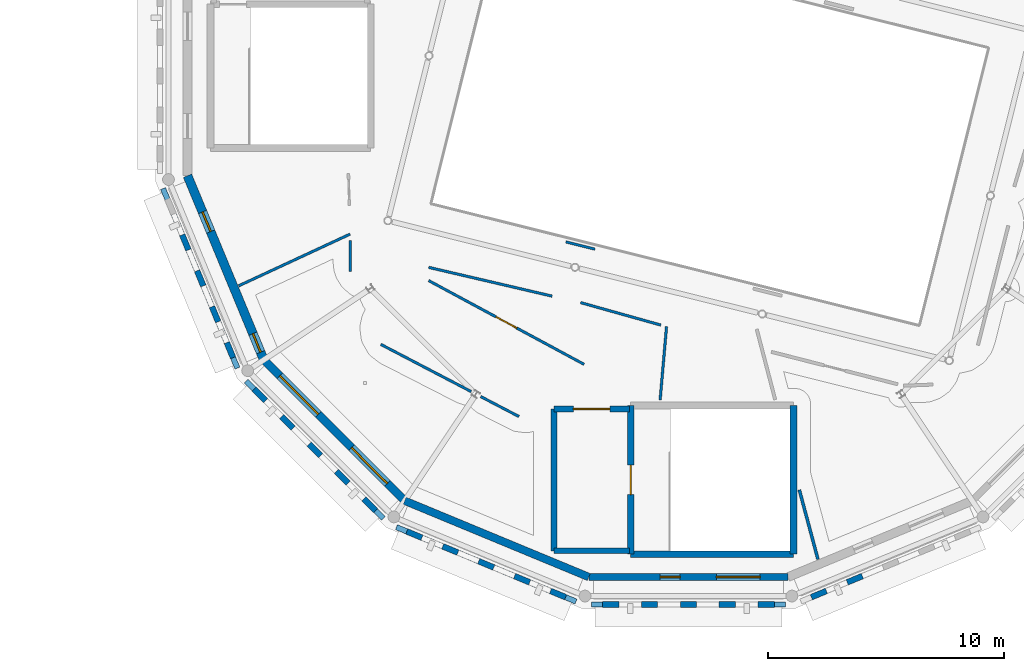
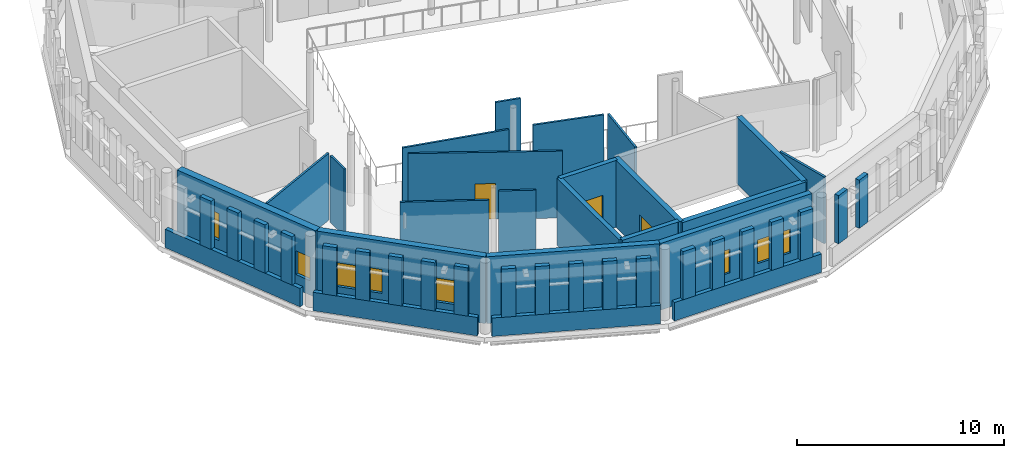
# One storey, part 45 of 68: 45 walls, 6 windows, 3 doors, 9 openings.
"""IFC4 building model written with IfcOpenShell, lengths in metres."""

from ifc_helpers import new_model, si_unit, direction, frame, frame_2d, origin, place, context, subcontext, project, spatial, rectangle, extrude, material, layer, layer_set, type_object, element, fill, save


model = new_model("IFC4")

# Units and contexts
model_context = context("Model", 3, precision=1e-05, world=origin(), true_north=direction((0.0, 1.0)))
body_context = subcontext(model_context, "Body", "Model", "MODEL_VIEW")
ifc_project = project(units=[si_unit("LENGTHUNIT", "METRE"), si_unit("AREAUNIT", "SQUARE_METRE"), si_unit("VOLUMEUNIT", "CUBIC_METRE"), si_unit("PLANEANGLEUNIT", "RADIAN"), si_unit("MASSUNIT", "GRAM", prefix="KILO")], contexts=[model_context])

# Site, building, storey
site_placement = place(None, origin())
site = spatial("IfcSite", under=ifc_project, at=site_placement, CompositionType="ELEMENT")
building_placement = place(site_placement, origin())
building = spatial("IfcBuilding", under=site, at=building_placement, Name="Wrenclough Park School", CompositionType="ELEMENT")
storey_placement = place(building_placement, frame((0.0, 0.0, 12.60009765625)))
storey = spatial("IfcBuildingStorey", under=building, at=storey_placement, Name="L03", CompositionType="ELEMENT", Elevation=12.60009765625)

# Walls
ifc_material_1 = material(Name="Perforated open-bond Staffordshire and Manchester brick screen pier", Category="masonry")
ifc_layer_1 = layer(ifc_material_1, 0.2451171875)
ifc_layer_set_1 = layer_set([ifc_layer_1], Name="Perforated open-bond Staffordshire and Manchester brick screen pier")
wall_type_1 = type_object("IfcWallType", Name="ENV-BS-PR245", PredefinedType="ELEMENTEDWALL", material=ifc_layer_set_1)
wall_1_placement = place(storey_placement, frame((134.063232421875, 19.77587890625, 1.08984375), z_axis=(0.0, 0.0, 1.0), x_axis=(0.382757564877, -0.923848822335, 0.0)))
element("IfcWall", 1, at=wall_1_placement, inside=storey, type_object=wall_type_1, Name="D1 L03 perforated brick screen pier 0664", PredefinedType="ELEMENTEDWALL", context=body_context, shape_type="SweptSolid", body=[
    extrude(rectangle(XDim=0.690673828125, YDim=0.2451171875, at=frame_2d((0.34521484375, 0.0))), origin(), (0.0, 0.0, 1.0), 2.85009765625),
])
for number, where, z_axis, x_axis, name in (
    (2, (134.693115234375, 18.25537109375, 1.08984375), (0.0, 0.0, 1.0), (0.38263262807, -0.923900574703, 0.0), "D1 L03 perforated brick screen pier 0665"),
    (3, (135.322998046875, 16.734619140625, 1.08984375), (0.0, 0.0, 1.0), (0.38263262807, -0.923900574703, 0.0), "D1 L03 perforated brick screen pier 0666"),
    (4, (135.952880859375, 15.214111328125, 1.08984375), (0.0, 0.0, 1.0), (0.38263262807, -0.923900574703, 0.0), "D1 L03 perforated brick screen pier 0667"),
):
    element("IfcWall", number, at=place(storey_placement, frame(where, z_axis=z_axis, x_axis=x_axis)), inside=storey, type_object=wall_type_1, Name=name, PredefinedType="ELEMENTEDWALL", context=body_context, shape_type="SweptSolid", body=[
        extrude(rectangle(XDim=0.69091796875, YDim=0.2451171875, at=frame_2d((0.345458984375, 0.0))), origin(), (0.0, 0.0, 1.0), 2.85009765625),
    ])
wall_2_placement = place(storey_placement, frame((137.104248046875, 13.248291015625, 1.08984375), z_axis=(0.0, 0.0, 1.0), x_axis=(0.707283403329, -0.706930114916, 0.0)))
element("IfcWall", 5, at=wall_2_placement, inside=storey, type_object=wall_type_1, Name="D1 L03 perforated brick screen pier 0668", PredefinedType="ELEMENTEDWALL", context=body_context, shape_type="SweptSolid", body=[
    extrude(rectangle(XDim=0.691162109375, YDim=0.2451171875, at=frame_2d((0.345703125, 0.0))), origin(), (0.0, 0.0, 1.0), 2.85009765625),
])
wall_3_placement = place(storey_placement, frame((138.268310546875, 12.08447265625, 1.08984375), z_axis=(0.0, 0.0, 1.0), x_axis=(0.707106781187, -0.707106781187, 0.0)))
element("IfcWall", 6, at=wall_3_placement, inside=storey, type_object=wall_type_1, Name="D1 L03 perforated brick screen pier 0669", PredefinedType="ELEMENTEDWALL", context=body_context, shape_type="SweptSolid", body=[
    extrude(rectangle(XDim=0.69091796875, YDim=0.2451171875, at=frame_2d((0.345458984375, 0.0))), origin(), (0.0, 0.0, 1.0), 2.85009765625),
])
wall_4_placement = place(storey_placement, frame((139.431884765625, 10.920654296875, 1.08984375), z_axis=(0.0, 0.0, 1.0), x_axis=(0.707106781187, -0.707106781187, 0.0)))
element("IfcWall", 7, at=wall_4_placement, inside=storey, type_object=wall_type_1, Name="D1 L03 perforated brick screen pier 0670", PredefinedType="ELEMENTEDWALL", context=body_context, shape_type="SweptSolid", body=[
    extrude(rectangle(XDim=0.691162109375, YDim=0.2451171875, at=frame_2d((0.345703125, 0.0))), origin(), (0.0, 0.0, 1.0), 2.85009765625),
])
wall_5_placement = place(storey_placement, frame((140.595947265625, 9.7568359375, 1.08984375), z_axis=(0.0, 0.0, 1.0), x_axis=(0.707106781187, -0.707106781187, 0.0)))
element("IfcWall", 8, at=wall_5_placement, inside=storey, type_object=wall_type_1, Name="D1 L03 perforated brick screen pier 0671", PredefinedType="ELEMENTEDWALL", context=body_context, shape_type="SweptSolid", body=[
    extrude(rectangle(XDim=0.69091796875, YDim=0.2451171875, at=frame_2d((0.345458984375, 0.0))), origin(), (0.0, 0.0, 1.0), 2.85009765625),
])
wall_6_placement = place(storey_placement, frame((141.759765625, 8.593017578125, 1.08984375), z_axis=(0.0, 0.0, 1.0), x_axis=(0.706930114916, -0.707283403329, 0.0)))
element("IfcWall", 9, at=wall_6_placement, inside=storey, type_object=wall_type_1, Name="D1 L03 perforated brick screen pier 0672", PredefinedType="ELEMENTEDWALL", context=body_context, shape_type="SweptSolid", body=[
    extrude(rectangle(XDim=0.691162109375, YDim=0.2451171875, at=frame_2d((0.345703125, 0.0))), origin(), (0.0, 0.0, 1.0), 2.85009765625),
])
for number, where, z_axis, x_axis, name in (
    (10, (143.57568359375, 7.21728515625, 1.08984375), (0.0, 0.0, 1.0), (0.923900574703, -0.38263262807, 0.0), "D1 L03 perforated brick screen pier 0673"),
    (11, (145.09619140625, 6.58740234375, 1.08984375), (0.0, 0.0, 1.0), (0.923900574703, -0.38263262807, 0.0), "D1 L03 perforated brick screen pier 0674"),
    (12, (146.616943359375, 5.95751953125, 1.08984375), (0.0, 0.0, 1.0), (0.923900574703, -0.38263262807, 0.0), "D1 L03 perforated brick screen pier 0675"),
):
    element("IfcWall", number, at=place(storey_placement, frame(where, z_axis=z_axis, x_axis=x_axis)), inside=storey, type_object=wall_type_1, Name=name, PredefinedType="ELEMENTEDWALL", context=body_context, shape_type="SweptSolid", body=[
        extrude(rectangle(XDim=0.69091796875, YDim=0.2451171875, at=frame_2d((0.345458984375, 0.0))), origin(), (0.0, 0.0, 1.0), 2.85009765625),
    ])
wall_7_placement = place(storey_placement, frame((148.1376953125, 5.32763671875, 1.08984375), z_axis=(0.0, 0.0, 1.0), x_axis=(0.923848822335, -0.382757564877, 0.0)))
element("IfcWall", 13, at=wall_7_placement, inside=storey, type_object=wall_type_1, Name="D1 L03 perforated brick screen pier 0676", PredefinedType="ELEMENTEDWALL", context=body_context, shape_type="SweptSolid", body=[
    extrude(rectangle(XDim=0.690673828125, YDim=0.2451171875, at=frame_2d((0.34521484375, 0.0))), origin(), (0.0, 0.0, 1.0), 2.85009765625),
])
wall_8_placement = place(storey_placement, frame((149.658203125, 4.697998046875, 1.08984375), z_axis=(0.0, 0.0, 1.0), x_axis=(0.92377564286, -0.382934147939, 0.0)))
element("IfcWall", 14, at=wall_8_placement, inside=storey, type_object=wall_type_1, Name="D1 L03 perforated brick screen pier 0677", PredefinedType="ELEMENTEDWALL", context=body_context, shape_type="SweptSolid", body=[
    extrude(rectangle(XDim=0.691162109375, YDim=0.2451171875, at=frame_2d((0.345703125, 0.0))), origin(), (0.0, 0.0, 1.0), 2.85009765625),
])
for number, where, z_axis, x_axis, name in (
    (15, (151.862548828125, 4.121826171875, 1.08984375), (0.0, 0.0, 1.0), (1.0, 0.0, 0.0), "D1 L03 perforated brick screen pier 0678"),
    (16, (153.508544921875, 4.121826171875, 1.08984375), (0.0, 0.0, 1.0), (1.0, 0.0, 0.0), "D1 L03 perforated brick screen pier 0679"),
    (17, (155.154541015625, 4.121826171875, 1.08984375), (0.0, 0.0, 1.0), (1.0, 0.0, 0.0), "D1 L03 perforated brick screen pier 0680"),
    (18, (156.800537109375, 4.121826171875, 1.08984375), (0.0, 0.0, 1.0), (1.0, 0.0, 0.0), "D1 L03 perforated brick screen pier 0681"),
    (19, (158.446533203125, 4.121826171875, 1.08984375), (0.0, 0.0, 1.0), (1.0, 0.0, 0.0), "D1 L03 perforated brick screen pier 0682"),
):
    element("IfcWall", number, at=place(storey_placement, frame(where, z_axis=z_axis, x_axis=x_axis)), inside=storey, type_object=wall_type_1, Name=name, PredefinedType="ELEMENTEDWALL", context=body_context, shape_type="SweptSolid", body=[
        extrude(rectangle(XDim=0.69091796875, YDim=0.2451171875, at=frame_2d((0.345458984375, 0.0))), origin(), (0.0, 0.0, 1.0), 2.85009765625),
    ])
wall_9_placement = place(storey_placement, frame((160.703369140625, 4.433349609375, 1.08984375), z_axis=(0.0, 0.0, 1.0), x_axis=(0.92377564286, 0.382934147939, 0.0)))
element("IfcWall", 20, at=wall_9_placement, inside=storey, type_object=wall_type_1, Name="D1 L03 perforated brick screen pier 0683", PredefinedType="ELEMENTEDWALL", context=body_context, shape_type="SweptSolid", body=[
    extrude(rectangle(XDim=0.691162109375, YDim=0.2451171875, at=frame_2d((0.345703125, 0.0))), origin(), (0.0, 0.0, 1.0), 2.85009765625),
])
wall_10_placement = place(storey_placement, frame((162.22412109375, 5.063232421875, 1.08984375), z_axis=(0.0, 0.0, 1.0), x_axis=(0.923848822335, 0.382757564877, 0.0)))
element("IfcWall", 21, at=wall_10_placement, inside=storey, type_object=wall_type_1, Name="D1 L03 perforated brick screen pier 0684", PredefinedType="ELEMENTEDWALL", context=body_context, shape_type="SweptSolid", body=[
    extrude(rectangle(XDim=0.690673828125, YDim=0.2451171875, at=frame_2d((0.34521484375, 0.0))), origin(), (0.0, 0.0, 1.0), 2.85009765625),
])
ifc_material_2 = material(Name="Open-bond Manchester multi-stock brick spandrel screen", Category="masonry")
ifc_layer_2 = layer(ifc_material_2, 0.22509765625)
ifc_layer_set_2 = layer_set([ifc_layer_2], Name="Open-bond Manchester multi-stock brick spandrel screen")
wall_type_2 = type_object("IfcWallType", Name="ENV-BS-SP225", PredefinedType="ELEMENTEDWALL", material=ifc_layer_set_2)
for number, where, z_axis, x_axis, name in (
    (22, (133.250732421875, 21.73779296875, 0.0), (0.0, 0.0, 1.0), (0.382687155267, -0.923877990426, 0.0), "D1 L03 open-bond brick screen spandrel 0181"),
    (23, (136.7666015625, 13.5859375, 0.0), (0.0, 0.0, 1.0), (0.707106781187, -0.707106781187, 0.0), "D1 L03 open-bond brick screen spandrel 0182"),
    (24, (143.134521484375, 7.400146484375, 0.0), (0.0, 0.0, 1.0), (0.923877990426, -0.382687155267, 0.0), "D1 L03 open-bond brick screen spandrel 0183"),
):
    element("IfcWall", number, at=place(storey_placement, frame(where, z_axis=z_axis, x_axis=x_axis)), inside=storey, type_object=wall_type_2, Name=name, PredefinedType="ELEMENTEDWALL", context=body_context, shape_type="SweptSolid", body=[
        extrude(rectangle(XDim=8.229736328125, YDim=0.22509765625, at=frame_2d((4.11474609375, 0.0))), origin(), (0.0, 0.0, 1.0), 1.08984375),
    ])
wall_11_placement = place(storey_placement, frame((151.385009765625, 4.121826171875, 0.0), z_axis=(0.0, 0.0, 1.0), x_axis=(1.0, 0.0, 0.0)))
element("IfcWall", 25, at=wall_11_placement, inside=storey, type_object=wall_type_2, Name="D1 L03 open-bond brick screen spandrel 0184", PredefinedType="ELEMENTEDWALL", context=body_context, shape_type="SweptSolid", body=[
    extrude(rectangle(XDim=8.22998046875, YDim=0.22509765625, at=frame_2d((4.114990234375, 0.0))), origin(), (0.0, 0.0, 1.0), 1.08984375),
])

# Wall, openings, windows
ifc_material_3 = material(Name="Manchester multi-stock brick and Concrete C32/40 inner leaf", Category="masonry")
ifc_layer_3 = layer(ifc_material_3, 0.300048828125)
ifc_layer_set_3 = layer_set([ifc_layer_3], Name="Manchester multi-stock brick and Concrete C32/40 inner leaf")
wall_type_3 = type_object("IfcWallType", Name="ENV-EW-300", PredefinedType="SOLIDWALL", material=ifc_layer_set_3)
wall_12_placement = place(storey_placement, frame((159.71923828125, 5.287841796875, 0.0), z_axis=(0.0, 0.0, 1.0), x_axis=(-1.0, 0.0, 0.0)))
wall_12 = element("IfcWall", 26, at=wall_12_placement, inside=storey, type_object=wall_type_3, Name="L03 insulated brick external wall 0304", PredefinedType="SOLIDWALL", context=body_context, shape_type="SweptSolid", body=[
    extrude(rectangle(XDim=8.4384765625, YDim=0.300048828125, at=frame_2d((4.21923828125, 0.0))), origin(), (0.0, 0.0, 1.0), 3.93994140625),
])
opening_1_placement = place(wall_12_placement, frame((1.184814453125, 0.0, 0.85009765625)))
opening_1 = element("IfcOpeningElement", 27, at=opening_1_placement, cuts=wall_12, Name="Opening WN-08", PredefinedType="OPENING", context=body_context, shape_type="SweptSolid", body=[
    extrude(rectangle(XDim=1.85009765625, YDim=1.39990234375, at=frame_2d((0.925048828125, 0.699951171875))), frame((0.0, 0.159912109375, 0.0), z_axis=(0.0, -1.0, 0.0), x_axis=(1.0, 0.0, 0.0)), (0.0, 0.0, 1.0), 0.320068359375),
])
opening_2_placement = place(wall_12_placement, frame((4.5693359375, 0.0, 0.85009765625)))
opening_2 = element("IfcOpeningElement", 28, at=opening_2_placement, cuts=wall_12, Name="Opening WN-01", PredefinedType="OPENING", context=body_context, shape_type="SweptSolid", body=[
    extrude(rectangle(XDim=0.85009765625, YDim=1.39990234375, at=frame_2d((0.425048828125, 0.699951171875))), frame((0.0, 0.159912109375, 0.0), z_axis=(0.0, -1.0, 0.0), x_axis=(1.0, 0.0, 0.0)), (0.0, 0.0, 1.0), 0.320068359375),
])
ifc_material_4 = material(Name="Thermally broken aluminium and double-glazed low-e glass", Category="aluminium")
window_type_1 = type_object("IfcWindowType", Name="ENV-WN-01", PartitioningType="SINGLE_PANEL", PredefinedType="WINDOW", material=ifc_material_4)
window_1_placement = place(opening_2_placement, origin())
window_1 = element("IfcWindow", 29, at=window_1_placement, inside=storey, type_object=window_type_1, Name="L03 scheduled facade window 0512", OverallHeight=1.39990234375, OverallWidth=0.85009765625, PartitioningType="SINGLE_PANEL", PredefinedType="WINDOW", context=body_context, shape_type="SweptSolid", body=[
    extrude(rectangle(XDim=0.85009765625, YDim=1.39990234375, at=frame_2d((0.425048828125, 0.699951171875))), frame((0.0, 0.030029296875, 0.0), z_axis=(0.0, -1.0, 0.0), x_axis=(1.0, 0.0, 0.0)), (0.0, 0.0, 1.0), 0.06005859375),
])
fill(opening_2, window_1)
window_type_2 = type_object("IfcWindowType", Name="ENV-WN-08", PartitioningType="DOUBLE_PANEL_VERTICAL", PredefinedType="WINDOW", material=ifc_material_4)
window_2_placement = place(opening_1_placement, origin())
window_2 = element("IfcWindow", 30, at=window_2_placement, inside=storey, type_object=window_type_2, Name="L03 scheduled facade window 0511", OverallHeight=1.39990234375, OverallWidth=1.85009765625, PartitioningType="SINGLE_PANEL", PredefinedType="WINDOW", context=body_context, shape_type="SweptSolid", body=[
    extrude(rectangle(XDim=1.85009765625, YDim=1.39990234375, at=frame_2d((0.925048828125, 0.699951171875))), frame((0.0, 0.030029296875, 0.0), z_axis=(0.0, -1.0, 0.0), x_axis=(1.0, 0.0, 0.0)), (0.0, 0.0, 1.0), 0.06005859375),
])
fill(opening_1, window_2)

# Wall
ifc_layer_4 = layer(ifc_material_3, 0.324951171875)
ifc_layer_set_4 = layer_set([ifc_layer_4], Name="Manchester multi-stock brick and Concrete C32/40 inner leaf")
wall_type_4 = type_object("IfcWallType", Name="ENV-EW-325", PredefinedType="SOLIDWALL", material=ifc_layer_set_4)
wall_13_placement = place(storey_placement, frame((151.28076171875, 5.287841796875, 0.0), z_axis=(0.0, 0.0, 1.0), x_axis=(-0.923884604839, 0.382671186453, 0.0)))
element("IfcWall", 31, at=wall_13_placement, inside=storey, type_object=wall_type_4, Name="L03 insulated brick external wall 0305", PredefinedType="SOLIDWALL", context=body_context, shape_type="SweptSolid", body=[
    extrude(rectangle(XDim=8.438720703125, YDim=0.324951171875, at=frame_2d((4.21923828125, 0.0))), origin(), (0.0, 0.0, 1.0), 3.93994140625),
])

# Wall, openings, windows
ifc_material_5 = material(Name="Staffordshire blue-grey brick and Concrete C35/45 inner leaf", Category="masonry")
ifc_layer_5 = layer(ifc_material_5, 0.35009765625)
ifc_layer_set_5 = layer_set([ifc_layer_5], Name="Staffordshire blue-grey brick and Concrete C35/45 inner leaf")
wall_type_5 = type_object("IfcWallType", Name="ENV-EW-350", PredefinedType="SOLIDWALL", material=ifc_layer_set_5)
wall_14_placement = place(storey_placement, frame((143.484375, 8.51708984375, 0.0), z_axis=(0.0, 0.0, 1.0), x_axis=(-0.707106781187, 0.707106781187, 0.0)))
wall_14 = element("IfcWall", 32, at=wall_14_placement, inside=storey, type_object=wall_type_5, Name="L03 insulated brick external wall 0306", PredefinedType="SOLIDWALL", context=body_context, shape_type="SweptSolid", body=[
    extrude(rectangle(XDim=8.43896484375, YDim=0.35009765625, at=frame_2d((4.219482421875, 0.0))), origin(), (0.0, 0.0, 1.0), 3.93994140625),
])
opening_3_placement = place(wall_14_placement, frame((1.03466796875, 0.0, 0.85009765625)))
opening_3 = element("IfcOpeningElement", 33, at=opening_3_placement, cuts=wall_14, Name="Opening WN-10", PredefinedType="OPENING", context=body_context, shape_type="SweptSolid", body=[
    extrude(rectangle(XDim=2.14990234375, YDim=1.39990234375, at=frame_2d((1.074951171875, 0.699951171875))), frame((0.0, 0.18505859375, 0.0), z_axis=(0.0, -1.0, 0.0), x_axis=(1.0, 0.0, 0.0)), (0.0, 0.0, 1.0), 0.3701171875),
])
opening_4_placement = place(wall_14_placement, frame((5.17919921875, 0.0, 0.85009765625)))
opening_4 = element("IfcOpeningElement", 34, at=opening_4_placement, cuts=wall_14, Name="Opening WN-11", PredefinedType="OPENING", context=body_context, shape_type="SweptSolid", body=[
    extrude(rectangle(XDim=2.300048828125, YDim=1.39990234375, at=frame_2d((1.14990234375, 0.699951171875))), frame((0.0, 0.18505859375, 0.0), z_axis=(0.0, -1.0, 0.0), x_axis=(1.0, 0.0, 0.0)), (0.0, 0.0, 1.0), 0.3701171875),
])
window_type_3 = type_object("IfcWindowType", Name="ENV-WN-10", PartitioningType="DOUBLE_PANEL_VERTICAL", PredefinedType="WINDOW", material=ifc_material_4)
window_3_placement = place(opening_3_placement, origin())
window_3 = element("IfcWindow", 35, at=window_3_placement, inside=storey, type_object=window_type_3, Name="L03 scheduled facade window 0513", OverallHeight=1.39990234375, OverallWidth=2.14990234375, PartitioningType="SINGLE_PANEL", PredefinedType="WINDOW", context=body_context, shape_type="SweptSolid", body=[
    extrude(rectangle(XDim=2.14990234375, YDim=1.39990234375, at=frame_2d((1.074951171875, 0.699951171875))), frame((0.0, 0.030029296875, 0.0), z_axis=(0.0, -1.0, 0.0), x_axis=(1.0, 0.0, 0.0)), (0.0, 0.0, 1.0), 0.06005859375),
])
fill(opening_3, window_3)
window_type_4 = type_object("IfcWindowType", Name="ENV-WN-11", PartitioningType="DOUBLE_PANEL_VERTICAL", PredefinedType="WINDOW", material=ifc_material_4)
window_4_placement = place(opening_4_placement, origin())
window_4 = element("IfcWindow", 36, at=window_4_placement, inside=storey, type_object=window_type_4, Name="L03 scheduled facade window 0514", OverallHeight=1.39990234375, OverallWidth=2.300048828125, PartitioningType="SINGLE_PANEL", PredefinedType="WINDOW", context=body_context, shape_type="SweptSolid", body=[
    extrude(rectangle(XDim=2.300048828125, YDim=1.39990234375, at=frame_2d((1.14990234375, 0.699951171875))), frame((0.0, 0.030029296875, 0.0), z_axis=(0.0, -1.0, 0.0), x_axis=(1.0, 0.0, 0.0)), (0.0, 0.0, 1.0), 0.06005859375),
])
fill(opening_4, window_4)

ifc_material_6 = material(Name="Manchester multi-stock brick and Concrete C35/45 inner leaf", Category="masonry")
ifc_layer_6 = layer(ifc_material_6, 0.3798828125)
ifc_layer_set_6 = layer_set([ifc_layer_6], Name="Manchester multi-stock brick and Concrete C35/45 inner leaf")
wall_type_6 = type_object("IfcWallType", Name="ENV-EW-380", PredefinedType="SOLIDWALL", material=ifc_layer_set_6)
wall_15_placement = place(storey_placement, frame((137.51708984375, 14.484375, 0.0), z_axis=(0.0, 0.0, 1.0), x_axis=(-0.382671186453, 0.923884604839, 0.0)))
wall_15 = element("IfcWall", 37, at=wall_15_placement, inside=storey, type_object=wall_type_6, Name="L03 insulated brick external wall 0307", PredefinedType="SOLIDWALL", context=body_context, shape_type="SweptSolid", body=[
    extrude(rectangle(XDim=8.438720703125, YDim=0.3798828125, at=frame_2d((4.21923828125, 0.0))), origin(), (0.0, 0.0, 1.0), 3.93994140625),
])
opening_5_placement = place(wall_15_placement, frame((0.35009765625, 0.0, 0.85009765625)))
opening_5 = element("IfcOpeningElement", 38, at=opening_5_placement, cuts=wall_15, Name="Opening WN-01", PredefinedType="OPENING", context=body_context, shape_type="SweptSolid", body=[
    extrude(rectangle(XDim=0.85009765625, YDim=1.39990234375, at=frame_2d((0.425048828125, 0.699951171875))), frame((0.0, 0.199951171875, 0.0), z_axis=(0.0, -1.0, 0.0), x_axis=(1.0, 0.0, 0.0)), (0.0, 0.0, 1.0), 0.39990234375),
])
opening_6_placement = place(wall_15_placement, frame((5.87890625, 0.0, 0.85009765625)))
opening_6 = element("IfcOpeningElement", 39, at=opening_6_placement, cuts=wall_15, Name="Opening WN-13", PredefinedType="OPENING", context=body_context, shape_type="SweptSolid", body=[
    extrude(rectangle(XDim=0.89990234375, YDim=1.60009765625, at=frame_2d((0.449951171875, 0.800048828125))), frame((0.0, 0.199951171875, 0.0), z_axis=(0.0, -1.0, 0.0), x_axis=(1.0, 0.0, 0.0)), (0.0, 0.0, 1.0), 0.39990234375),
])
window_5_placement = place(opening_5_placement, origin())
window_5 = element("IfcWindow", 40, at=window_5_placement, inside=storey, type_object=window_type_1, Name="L03 scheduled facade window 0515", OverallHeight=1.39990234375, OverallWidth=0.85009765625, PartitioningType="SINGLE_PANEL", PredefinedType="WINDOW", context=body_context, shape_type="SweptSolid", body=[
    extrude(rectangle(XDim=0.85009765625, YDim=1.39990234375, at=frame_2d((0.425048828125, 0.699951171875))), frame((0.0, 0.030029296875, 0.0), z_axis=(0.0, -1.0, 0.0), x_axis=(1.0, 0.0, 0.0)), (0.0, 0.0, 1.0), 0.06005859375),
])
fill(opening_5, window_5)
window_type_5 = type_object("IfcWindowType", Name="ENV-WN-13", PartitioningType="SINGLE_PANEL", PredefinedType="WINDOW", material=ifc_material_4)
window_6_placement = place(opening_6_placement, origin())
window_6 = element("IfcWindow", 41, at=window_6_placement, inside=storey, type_object=window_type_5, Name="L03 scheduled facade window 0516", OverallHeight=1.60009765625, OverallWidth=0.89990234375, PartitioningType="SINGLE_PANEL", PredefinedType="WINDOW", context=body_context, shape_type="SweptSolid", body=[
    extrude(rectangle(XDim=0.89990234375, YDim=1.60009765625, at=frame_2d((0.449951171875, 0.800048828125))), frame((0.0, 0.030029296875, 0.0), z_axis=(0.0, -1.0, 0.0), x_axis=(1.0, 0.0, 0.0)), (0.0, 0.0, 1.0), 0.06005859375),
])
fill(opening_6, window_6)

# Wall
ifc_material_7 = material(Name="Concrete C35/45", Category="concrete")
ifc_layer_7 = layer(ifc_material_7, 0.25)
ifc_layer_set_7 = layer_set([ifc_layer_7], Name="Concrete C35/45")
wall_type_7 = type_object("IfcWallType", Name="INT-CW-250", PredefinedType="SHEAR", material=ifc_layer_set_7)
wall_16_placement = place(storey_placement, frame((149.800048828125, 6.39990234375, 0.0), z_axis=(0.0, 0.0, 1.0), x_axis=(1.0, 0.0, 0.0)))
element("IfcWall", 42, at=wall_16_placement, inside=storey, type_object=wall_type_7, Name="Core C1B L03 lobby fire wall south", PredefinedType="SHEAR", context=body_context, shape_type="SweptSolid", body=[
    extrude(rectangle(XDim=3.199951171875, YDim=0.25, at=frame_2d((1.60009765625, 0.0))), origin(), (0.0, 0.0, 1.0), 3.949951171875),
])

# Wall, opening, door
wall_17_placement = place(storey_placement, frame((153.0, 12.39990234375, 0.0), z_axis=(0.0, 0.0, 1.0), x_axis=(-1.0, 0.0, 0.0)))
wall_17 = element("IfcWall", 43, at=wall_17_placement, inside=storey, type_object=wall_type_7, Name="Core C1B L03 lobby fire wall north", PredefinedType="SHEAR", context=body_context, shape_type="SweptSolid", body=[
    extrude(rectangle(XDim=3.199951171875, YDim=0.25, at=frame_2d((1.60009765625, 0.0))), origin(), (0.0, 0.0, 1.0), 3.949951171875),
])
opening_7_placement = place(wall_17_placement, frame((0.824951171875, 0.0, 0.0)))
opening_7 = element("IfcOpeningElement", 44, at=opening_7_placement, cuts=wall_17, Name="Opening DLB-C1B-L03", PredefinedType="OPENING", context=body_context, shape_type="SweptSolid", body=[
    extrude(rectangle(XDim=1.550048828125, YDim=2.14990234375, at=frame_2d((0.77490234375, 1.074951171875))), frame((0.0, 0.135009765625, 0.0), z_axis=(0.0, -1.0, 0.0), x_axis=(1.0, 0.0, 0.0)), (0.0, 0.0, 1.0), 0.27001953125),
])
ifc_material_8 = material(Name="Protected stair lobby double fire door assembly", Category="wood")
door_type_1 = type_object("IfcDoorType", Name="INT-DR-LB155", OperationType="NOTDEFINED", PredefinedType="DOOR", material=ifc_material_8)
door_1_placement = place(opening_7_placement, origin())
door_1 = element("IfcDoor", 45, at=door_1_placement, inside=storey, type_object=door_type_1, Name="Core C1B L03 protected lobby fire door", OperationType="DOUBLE_DOOR_SINGLE_SWING", OverallHeight=2.14990234375, OverallWidth=1.550048828125, PredefinedType="DOOR", context=body_context, shape_type="SweptSolid", body=[
    extrude(rectangle(XDim=1.550048828125, YDim=2.14990234375, at=frame_2d((0.77490234375, 1.074951171875))), frame((0.0, 0.02490234375, 0.0), z_axis=(0.0, -1.0, 0.0), x_axis=(1.0, 0.0, 0.0)), (0.0, 0.0, 1.0), 0.050048828125),
])
fill(opening_7, door_1)

# Walls
wall_18_placement = place(storey_placement, frame((149.800048828125, 12.39990234375, 0.0), z_axis=(0.0, 0.0, 1.0), x_axis=(0.0, -1.0, 0.0)))
element("IfcWall", 46, at=wall_18_placement, inside=storey, type_object=wall_type_7, Name="Core C1B L03 lobby fire wall west", PredefinedType="SHEAR", context=body_context, shape_type="SweptSolid", body=[
    extrude(rectangle(XDim=6.0, YDim=0.25, at=frame_2d((3.0, 0.0))), origin(), (0.0, 0.0, 1.0), 3.949951171875),
])
ifc_material_9 = material(Name="Concrete C40/50", Category="concrete")
ifc_layer_8 = layer(ifc_material_9, 0.2900390625)
ifc_layer_set_8 = layer_set([ifc_layer_8], Name="Concrete C40/50")
wall_type_8 = type_object("IfcWallType", Name="INT-CW-290", PredefinedType="SHEAR", material=ifc_layer_set_8)
wall_19_placement = place(storey_placement, frame((153.054931640625, 6.2548828125, 0.0), z_axis=(0.0, 0.0, 1.0), x_axis=(1.0, 0.0, 0.0)))
element("IfcWall", 47, at=wall_19_placement, inside=storey, type_object=wall_type_8, Name="Core C1B L03 south shear wall", PredefinedType="SHEAR", context=body_context, shape_type="SweptSolid", body=[
    extrude(rectangle(XDim=6.89013671875, YDim=0.2900390625, at=frame_2d((3.445068359375, 0.0))), origin(), (0.0, 0.0, 1.0), 3.949951171875),
])
wall_20_placement = place(storey_placement, frame((159.945068359375, 6.2548828125, 0.0), z_axis=(0.0, 0.0, 1.0), x_axis=(0.0, 1.0, 0.0)))
element("IfcWall", 48, at=wall_20_placement, inside=storey, type_object=wall_type_8, Name="Core C1B L03 east shear wall", PredefinedType="SHEAR", context=body_context, shape_type="SweptSolid", body=[
    extrude(rectangle(XDim=6.2900390625, YDim=0.2900390625, at=frame_2d((3.14501953125, 0.0))), origin(), (0.0, 0.0, 1.0), 3.949951171875),
])

# Wall, opening, door
wall_21_placement = place(storey_placement, frame((153.054931640625, 12.544921875, 0.0), z_axis=(0.0, 0.0, 1.0), x_axis=(0.0, -1.0, 0.0)))
wall_21 = element("IfcWall", 49, at=wall_21_placement, inside=storey, type_object=wall_type_8, Name="Core C1B L03 west shear wall", PredefinedType="SHEAR", context=body_context, shape_type="SweptSolid", body=[
    extrude(rectangle(XDim=6.2900390625, YDim=0.2900390625, at=frame_2d((3.14501953125, 0.0))), origin(), (0.0, 0.0, 1.0), 3.949951171875),
])
opening_8_placement = place(wall_21_placement, frame((2.52001953125, 0.0, 0.0)))
opening_8 = element("IfcOpeningElement", 50, at=opening_8_placement, cuts=wall_21, Name="Opening DST-C1B-L03", PredefinedType="OPENING", context=body_context, shape_type="SweptSolid", body=[
    extrude(rectangle(XDim=1.25, YDim=2.10009765625, at=frame_2d((0.625, 1.050048828125))), frame((0.0, 0.155029296875, 0.0), z_axis=(0.0, -1.0, 0.0), x_axis=(1.0, 0.0, 0.0)), (0.0, 0.0, 1.0), 0.31005859375),
])
ifc_material_10 = material(Name="Wide protected escape stair fire door assembly", Category="wood")
door_type_2 = type_object("IfcDoorType", Name="INT-DR-ST125", OperationType="NOTDEFINED", PredefinedType="DOOR", material=ifc_material_10)
door_2_placement = place(opening_8_placement, origin())
door_2 = element("IfcDoor", 51, at=door_2_placement, inside=storey, type_object=door_type_2, Name="Stair ST-09 L03 fire door", OperationType="SINGLE_SWING_RIGHT", OverallHeight=2.10009765625, OverallWidth=1.25, PredefinedType="DOOR", context=body_context, shape_type="SweptSolid", body=[
    extrude(rectangle(XDim=1.25, YDim=2.10009765625, at=frame_2d((0.625, 1.050048828125))), frame((0.0, 0.02490234375, 0.0), z_axis=(0.0, -1.0, 0.0), x_axis=(1.0, 0.0, 0.0)), (0.0, 0.0, 1.0), 0.050048828125),
])
fill(opening_8, door_2)

# Walls
ifc_material_11 = material(Name="Lightweight fire-rated store partition", Category="gypsum")
ifc_layer_9 = layer(ifc_material_11, 0.110107421875)
ifc_layer_set_9 = layer_set([ifc_layer_9], Name="Lightweight fire-rated store partition")
wall_type_9 = type_object("IfcWallType", Name="INT-PW-110", PredefinedType="PARTITIONING", material=ifc_layer_set_9)
wall_22_placement = place(storey_placement, frame((141.1728515625, 19.80908203125, 0.0), z_axis=(0.0, 0.0, 1.0), x_axis=(-0.90703456181, -0.421056176397, 0.0)))
element("IfcWall", 52, at=wall_22_placement, inside=storey, type_object=wall_type_9, Name="L03 internal partition 0410", PredefinedType="PARTITIONING", context=body_context, shape_type="SweptSolid", body=[
    extrude(rectangle(XDim=5.20458984375, YDim=0.110107421875, at=frame_2d((2.602294921875, 0.0))), origin(), (0.0, 0.0, 1.0), 3.949951171875),
])
wall_23_placement = place(storey_placement, frame((154.300048828125, 12.784912109375, 0.0), z_axis=(0.0, 0.0, 1.0), x_axis=(0.08719416146, 0.996191336143, 0.0)))
element("IfcWall", 53, at=wall_23_placement, inside=storey, type_object=wall_type_9, Name="L03 internal partition 0411", PredefinedType="PARTITIONING", context=body_context, shape_type="SweptSolid", body=[
    extrude(rectangle(XDim=3.116455078125, YDim=0.110107421875, at=frame_2d((1.55810546875, 0.0))), origin(), (0.0, 0.0, 1.0), 3.949951171875),
])
wall_24_placement = place(storey_placement, frame((154.3310546875, 15.956787109375, 0.0), z_axis=(0.0, 0.0, 1.0), x_axis=(-0.96293957609, 0.269717208943, 0.0)))
element("IfcWall", 54, at=wall_24_placement, inside=storey, type_object=wall_type_9, Name="L03 internal partition 0412", PredefinedType="PARTITIONING", context=body_context, shape_type="SweptSolid", body=[
    extrude(rectangle(XDim=3.52734375, YDim=0.110107421875, at=frame_2d((1.763671875, 0.0))), origin(), (0.0, 0.0, 1.0), 3.949951171875),
])
wall_25_placement = place(storey_placement, frame((151.541015625, 19.170166015625, 0.0), z_axis=(0.0, 0.0, 1.0), x_axis=(-0.970278241174, 0.241992013721, 0.0)))
element("IfcWall", 55, at=wall_25_placement, inside=storey, type_object=wall_type_9, Name="L03 internal partition 0413", PredefinedType="PARTITIONING", context=body_context, shape_type="SweptSolid", body=[
    extrude(rectangle(XDim=1.26806640625, YDim=0.110107421875, at=frame_2d((0.634033203125, 0.0))), origin(), (0.0, 0.0, 1.0), 3.949951171875),
])
wall_26_placement = place(storey_placement, frame((149.7236328125, 17.182861328125, 0.0), z_axis=(0.0, 0.0, 1.0), x_axis=(-0.973885509314, 0.227039676596, 0.0)))
element("IfcWall", 56, at=wall_26_placement, inside=storey, type_object=wall_type_9, Name="L03 internal partition 0414", PredefinedType="PARTITIONING", context=body_context, shape_type="SweptSolid", body=[
    extrude(rectangle(XDim=5.36376953125, YDim=0.110107421875, at=frame_2d((2.681884765625, 0.0))), origin(), (0.0, 0.0, 1.0), 3.949951171875),
])

# Wall, opening, door
wall_27_placement = place(storey_placement, frame((144.5, 17.839599609375, 0.0), z_axis=(0.0, 0.0, 1.0), x_axis=(0.880350401945, -0.474323908101, 0.0)))
wall_27 = element("IfcWall", 57, at=wall_27_placement, inside=storey, type_object=wall_type_9, Name="L03 internal partition 0415", PredefinedType="PARTITIONING", context=body_context, shape_type="SweptSolid", body=[
    extrude(rectangle(XDim=7.470947265625, YDim=0.110107421875, at=frame_2d((3.7353515625, 0.0))), origin(), (0.0, 0.0, 1.0), 3.949951171875),
])
opening_9_placement = place(wall_27_placement, frame((3.235595703125, 0.0, 0.0)))
opening_9 = element("IfcOpeningElement", 58, at=opening_9_placement, cuts=wall_27, Name="Opening DR-L03-083", PredefinedType="OPENING", context=body_context, shape_type="SweptSolid", body=[
    extrude(rectangle(XDim=1.0, YDim=2.10009765625, at=frame_2d((0.5, 1.050048828125))), frame((0.0, 0.06494140625, 0.0), z_axis=(0.0, -1.0, 0.0), x_axis=(1.0, 0.0, 0.0)), (0.0, 0.0, 1.0), 0.130126953125),
])
ifc_material_12 = material(Name="Humanities classroom vision door assembly", Category="wood")
door_type_3 = type_object("IfcDoorType", Name="INT-DR-CL100", OperationType="NOTDEFINED", PredefinedType="DOOR", material=ifc_material_12)
door_3_placement = place(opening_9_placement, origin())
door_3 = element("IfcDoor", 59, at=door_3_placement, inside=storey, type_object=door_type_3, Name="Health and Nutrition Classroom door DR-L03-083", OperationType="SINGLE_SWING_RIGHT", OverallHeight=2.10009765625, OverallWidth=1.0, PredefinedType="DOOR", context=body_context, shape_type="SweptSolid", body=[
    extrude(rectangle(XDim=1.0, YDim=2.10009765625, at=frame_2d((0.5, 1.050048828125))), frame((0.0, 0.02490234375, 0.0), z_axis=(0.0, -1.0, 0.0), x_axis=(1.0, 0.0, 0.0)), (0.0, 0.0, 1.0), 0.050048828125),
])
fill(opening_9, door_3)

# Walls
wall_28_placement = place(storey_placement, frame((148.31982421875, 12.085205078125, 0.0), z_axis=(0.0, 0.0, 1.0), x_axis=(-0.886374313461, 0.46296930399, 0.0)))
element("IfcWall", 60, at=wall_28_placement, inside=storey, type_object=wall_type_9, Name="L03 internal partition 0416", PredefinedType="PARTITIONING", context=body_context, shape_type="SweptSolid", body=[
    extrude(rectangle(XDim=1.8203125, YDim=0.110107421875, at=frame_2d((0.91015625, 0.0))), origin(), (0.0, 0.0, 1.0), 3.949951171875),
])
wall_29_placement = place(storey_placement, frame((146.298583984375, 13.14111328125, 0.0), z_axis=(0.0, 0.0, 1.0), x_axis=(-0.886374847625, 0.462968281309, 0.0)))
element("IfcWall", 61, at=wall_29_placement, inside=storey, type_object=wall_type_9, Name="L03 internal partition 0417", PredefinedType="PARTITIONING", context=body_context, shape_type="SweptSolid", body=[
    extrude(rectangle(XDim=4.313720703125, YDim=0.110107421875, at=frame_2d((2.15673828125, 0.0))), origin(), (0.0, 0.0, 1.0), 3.423828125),
])
wall_30_placement = place(storey_placement, frame((141.18359375, 18.227783203125, 0.0), z_axis=(0.0, 0.0, 1.0), x_axis=(-0.006727562196, 0.999977369697, 0.0)))
element("IfcWall", 62, at=wall_30_placement, inside=storey, type_object=wall_type_9, Name="L03 internal partition 0418", PredefinedType="PARTITIONING", context=body_context, shape_type="SweptSolid", body=[
    extrude(rectangle(XDim=1.306396484375, YDim=0.110107421875, at=frame_2d((0.6533203125, 0.0))), origin(), (0.0, 0.0, 1.0), 3.949951171875),
])
ifc_material_13 = material(Name="Standard fire-rated room partition", Category="gypsum")
ifc_layer_10 = layer(ifc_material_13, 0.1298828125)
ifc_layer_set_10 = layer_set([ifc_layer_10], Name="Standard fire-rated room partition")
wall_type_10 = type_object("IfcWallType", Name="INT-PW-130", PredefinedType="PARTITIONING", material=ifc_layer_set_10)
wall_31_placement = place(storey_placement, frame((160.195068359375, 8.97802734375, 0.0), z_axis=(0.0, 0.0, 1.0), x_axis=(0.258834917797, -0.965921573074, 0.0)))
element("IfcWall", 63, at=wall_31_placement, inside=storey, type_object=wall_type_10, Name="L03 internal partition 0425", PredefinedType="PARTITIONING", context=body_context, shape_type="SweptSolid", body=[
    extrude(rectangle(XDim=3.045654296875, YDim=0.1298828125, at=frame_2d((1.52294921875, 0.0))), origin(), (0.0, 0.0, 1.0), 3.949951171875),
])

save(model, "model.ifc")
